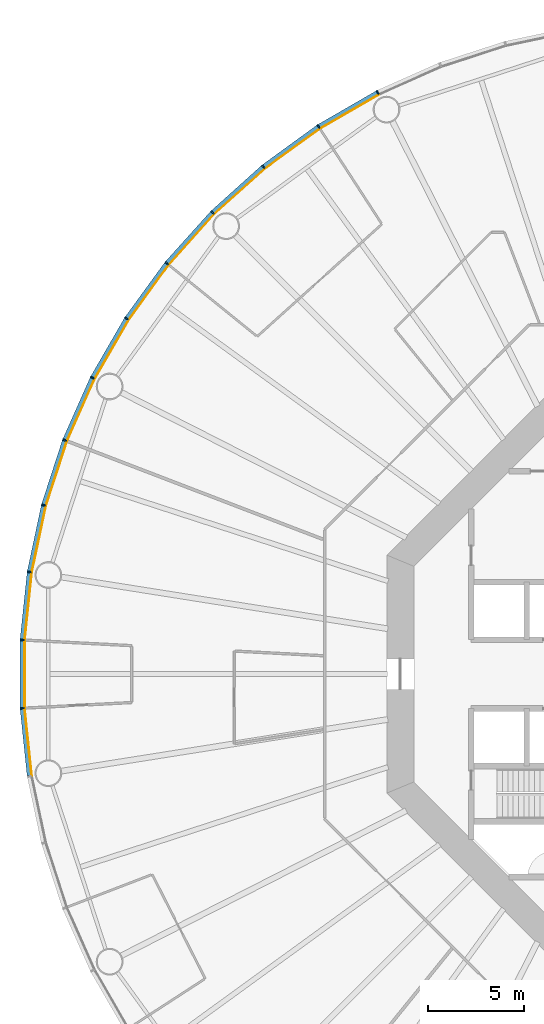
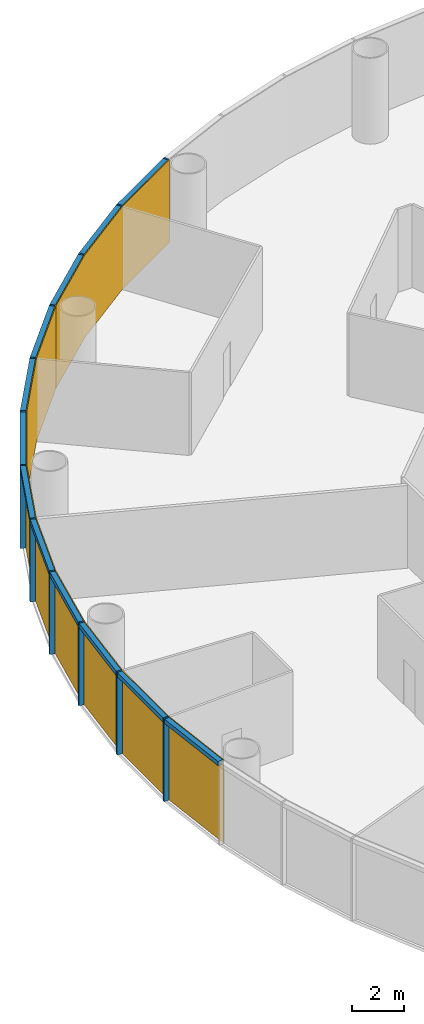
# One storey, part 9 of 13: 24 members, 4 curtain walls.
"""IFC4 building model written with IfcOpenShell, lengths in metres."""

from ifc_helpers import new_model, si_unit, direction, frame, origin, origin_2d, place, context, subcontext, project, spatial, polyline, rectangle, outline, extrude, material, layer, layer_set, material_profile, profile_set, type_object, element, aggregate, save


model = new_model("IFC4")

# Units and contexts
model_context = context("Model", 3, precision=1e-05, world=origin(), true_north=direction((0.0, 1.0)))
body_context = subcontext(model_context, "Body", "Model", "MODEL_VIEW")
ifc_project = project(units=[si_unit("LENGTHUNIT", "METRE"), si_unit("AREAUNIT", "SQUARE_METRE"), si_unit("VOLUMEUNIT", "CUBIC_METRE"), si_unit("PLANEANGLEUNIT", "RADIAN"), si_unit("MASSUNIT", "GRAM", prefix="KILO")], contexts=[model_context])

# Member
ifc_material_1 = material(Name="Anodised aluminium", Category="aluminium")
ifc_material_profile_1 = material_profile(ifc_material_1, rectangle(XDim=0.074951171875, YDim=0.219970703125, at=origin_2d()), Name="Mullion 75 x 220 mm anodised aluminium")
ifc_profile_set_1 = profile_set([ifc_material_profile_1], Name="Anodised aluminium")
member_type_1 = type_object("IfcMemberType", Name="Mullion 75 x 220 mm anodised aluminium", PredefinedType="MULLION", material=ifc_profile_set_1)
site_placement = place(None, origin())
building_placement = place(site_placement, origin())
storey_placement = place(building_placement, frame((0.0, 0.0, 62.0)))
member_1_placement = place(storey_placement, frame((74.514404296875, 110.392333984375, 0.0), z_axis=(0.0, 0.0, 1.0), x_axis=(-0.891006524188, -0.45399049974, 0.0)))
member_1 = element("IfcMember", 1, at=member_1_placement, type_object=member_type_1, Name="MULLION L13-18", PredefinedType="MULLION", context=body_context, shape_type="SweptSolid", body=[
    extrude(rectangle(XDim=0.074951171875, YDim=0.219970703125, at=origin_2d()), origin(), (0.0, 0.0, 1.0), 3.85009765625),
])

member_2_placement = place(storey_placement, frame((71.42236328125, 108.60693359375, 0.0), z_axis=(0.0, 0.0, 1.0), x_axis=(-0.838670567945, -0.544639035015, 0.0)))
member_2 = element("IfcMember", 2, at=member_2_placement, type_object=member_type_1, Name="MULLION L13-19", PredefinedType="MULLION", context=body_context, shape_type="SweptSolid", body=[
    extrude(rectangle(XDim=0.074951171875, YDim=0.219970703125, at=origin_2d()), origin(), (0.0, 0.0, 1.0), 3.85009765625),
])

member_3_placement = place(storey_placement, frame((68.533935546875, 106.508544921875, 0.0), z_axis=(0.0, 0.0, 1.0), x_axis=(-0.777145961457, -0.62932039105, 0.0)))
member_3 = element("IfcMember", 3, at=member_3_placement, type_object=member_type_1, Name="MULLION L13-20", PredefinedType="MULLION", context=body_context, shape_type="SweptSolid", body=[
    extrude(rectangle(XDim=0.074951171875, YDim=0.219970703125, at=origin_2d()), origin(), (0.0, 0.0, 1.0), 3.85009765625),
])

member_4_placement = place(storey_placement, frame((65.880615234375, 104.119384765625, 0.0), z_axis=(0.0, 0.0, 1.0), x_axis=(-0.707106781187, -0.707106781187, 0.0)))
member_4 = element("IfcMember", 4, at=member_4_placement, type_object=member_type_1, Name="MULLION L13-21", PredefinedType="MULLION", context=body_context, shape_type="SweptSolid", body=[
    extrude(rectangle(XDim=0.074951171875, YDim=0.219970703125, at=origin_2d()), origin(), (0.0, 0.0, 1.0), 3.85009765625),
])

member_5_placement = place(storey_placement, frame((63.491455078125, 101.466064453125, 0.0), z_axis=(0.0, 0.0, 1.0), x_axis=(-0.62932039105, -0.777145961457, 0.0)))
member_5 = element("IfcMember", 5, at=member_5_placement, type_object=member_type_1, Name="MULLION L13-22", PredefinedType="MULLION", context=body_context, shape_type="SweptSolid", body=[
    extrude(rectangle(XDim=0.074951171875, YDim=0.219970703125, at=origin_2d()), origin(), (0.0, 0.0, 1.0), 3.85009765625),
])

member_6_placement = place(storey_placement, frame((61.39306640625, 98.57763671875, 0.0), z_axis=(0.0, 0.0, 1.0), x_axis=(-0.544639035015, -0.838670567945, 0.0)))
member_6 = element("IfcMember", 6, at=member_6_placement, type_object=member_type_1, Name="MULLION L13-23", PredefinedType="MULLION", context=body_context, shape_type="SweptSolid", body=[
    extrude(rectangle(XDim=0.074951171875, YDim=0.219970703125, at=origin_2d()), origin(), (0.0, 0.0, 1.0), 3.85009765625),
])

member_7_placement = place(storey_placement, frame((59.607666015625, 95.485595703125, 0.0), z_axis=(0.0, 0.0, 1.0), x_axis=(-0.45399049974, -0.891006524188, 0.0)))
member_7 = element("IfcMember", 7, at=member_7_placement, type_object=member_type_1, Name="MULLION L13-24", PredefinedType="MULLION", context=body_context, shape_type="SweptSolid", body=[
    extrude(rectangle(XDim=0.074951171875, YDim=0.219970703125, at=origin_2d()), origin(), (0.0, 0.0, 1.0), 3.85009765625),
])

member_8_placement = place(storey_placement, frame((58.155517578125, 92.223876953125, 0.0), z_axis=(0.0, 0.0, 1.0), x_axis=(-0.358367949545, -0.933580426497, 0.0)))
member_8 = element("IfcMember", 8, at=member_8_placement, type_object=member_type_1, Name="MULLION L13-25", PredefinedType="MULLION", context=body_context, shape_type="SweptSolid", body=[
    extrude(rectangle(XDim=0.074951171875, YDim=0.219970703125, at=origin_2d()), origin(), (0.0, 0.0, 1.0), 3.85009765625),
])

member_9_placement = place(storey_placement, frame((57.05224609375, 88.828369140625, 0.0), z_axis=(0.0, 0.0, 1.0), x_axis=(-0.258819045103, -0.965925826289, 0.0)))
member_9 = element("IfcMember", 9, at=member_9_placement, type_object=member_type_1, Name="MULLION L13-26", PredefinedType="MULLION", context=body_context, shape_type="SweptSolid", body=[
    extrude(rectangle(XDim=0.074951171875, YDim=0.219970703125, at=origin_2d()), origin(), (0.0, 0.0, 1.0), 3.85009765625),
])

member_10_placement = place(storey_placement, frame((56.31005859375, 85.3359375, 0.0), z_axis=(0.0, 0.0, 1.0), x_axis=(-0.15643446504, -0.987688340595, 0.0)))
member_10 = element("IfcMember", 10, at=member_10_placement, type_object=member_type_1, Name="MULLION L13-27", PredefinedType="MULLION", context=body_context, shape_type="SweptSolid", body=[
    extrude(rectangle(XDim=0.074951171875, YDim=0.219970703125, at=origin_2d()), origin(), (0.0, 0.0, 1.0), 3.85009765625),
])

member_11_placement = place(storey_placement, frame((55.936767578125, 81.78515625, 0.0), z_axis=(0.0, 0.0, 1.0), x_axis=(-0.052335956243, -0.998629534755, 0.0)))
member_11 = element("IfcMember", 11, at=member_11_placement, type_object=member_type_1, Name="MULLION L13-28", PredefinedType="MULLION", context=body_context, shape_type="SweptSolid", body=[
    extrude(rectangle(XDim=0.074951171875, YDim=0.219970703125, at=origin_2d()), origin(), (0.0, 0.0, 1.0), 3.85009765625),
])

member_12_placement = place(storey_placement, frame((55.936767578125, 78.21484375, 0.0), z_axis=(0.0, 0.0, 1.0), x_axis=(0.052335956243, -0.998629534755, 0.0)))
member_12 = element("IfcMember", 12, at=member_12_placement, type_object=member_type_1, Name="MULLION L13-29", PredefinedType="MULLION", context=body_context, shape_type="SweptSolid", body=[
    extrude(rectangle(XDim=0.074951171875, YDim=0.219970703125, at=origin_2d()), origin(), (0.0, 0.0, 1.0), 3.85009765625),
])

ifc_material_2 = material(Name="Anodised aluminium", Category="aluminium")
ifc_material_profile_2 = material_profile(ifc_material_2, rectangle(XDim=0.219970703125, YDim=0.199951171875, at=origin_2d()), Name="Transom 200 x 220 mm anodised aluminium")
ifc_profile_set_2 = profile_set([ifc_material_profile_2], Name="Anodised aluminium")
member_type_2 = type_object("IfcMemberType", Name="Transom 200 x 220 mm anodised aluminium", PredefinedType="USERDEFINED", material=ifc_profile_set_2)
member_13_placement = place(storey_placement, frame((74.476806640625, 110.370849609375, 3.75), z_axis=(-0.866022206254, -0.500005538244, 0.0), x_axis=(0.500005538244, -0.866022206254, 0.0)))
member_13 = element("IfcMember", 13, at=member_13_placement, type_object=member_type_2, Name="TRANSOM L13-18", ObjectType="TRANSOM", PredefinedType="USERDEFINED", context=body_context, shape_type="SweptSolid", body=[
    extrude(rectangle(XDim=0.219970703125, YDim=0.199951171875, at=origin_2d()), origin(), (0.0, 0.0, 1.0), 3.48388671875),
])

member_14_placement = place(storey_placement, frame((71.38720703125, 108.581787109375, 3.75), z_axis=(-0.80899056535, -0.587821627006, 0.0), x_axis=(0.587821627006, -0.80899056535, 0.0)))
member_14 = element("IfcMember", 14, at=member_14_placement, type_object=member_type_2, Name="TRANSOM L13-19", ObjectType="TRANSOM", PredefinedType="USERDEFINED", context=body_context, shape_type="SweptSolid", body=[
    extrude(rectangle(XDim=0.219970703125, YDim=0.199951171875, at=origin_2d()), origin(), (0.0, 0.0, 1.0), 3.48388671875),
])

member_15_placement = place(storey_placement, frame((68.501708984375, 106.479736328125, 3.75), z_axis=(-0.743137329876, -0.669138930974, 0.0), x_axis=(0.669138930974, -0.743137329876, 0.0)))
member_15 = element("IfcMember", 15, at=member_15_placement, type_object=member_type_2, Name="TRANSOM L13-20", ObjectType="TRANSOM", PredefinedType="USERDEFINED", context=body_context, shape_type="SweptSolid", body=[
    extrude(rectangle(XDim=0.219970703125, YDim=0.199951171875, at=origin_2d()), origin(), (0.0, 0.0, 1.0), 3.484130859375),
])

member_16_placement = place(storey_placement, frame((65.8515625, 104.08740234375, 3.75), z_axis=(-0.669138930974, -0.743137329876, 0.0), x_axis=(0.743137329876, -0.669138930974, 0.0)))
member_16 = element("IfcMember", 16, at=member_16_placement, type_object=member_type_2, Name="TRANSOM L13-21", ObjectType="TRANSOM", PredefinedType="USERDEFINED", context=body_context, shape_type="SweptSolid", body=[
    extrude(rectangle(XDim=0.219970703125, YDim=0.199951171875, at=origin_2d()), origin(), (0.0, 0.0, 1.0), 3.484130859375),
])

member_17_placement = place(storey_placement, frame((63.466064453125, 101.43115234375, 3.75), z_axis=(-0.587821627006, -0.80899056535, 0.0), x_axis=(0.80899056535, -0.587821627006, 0.0)))
member_17 = element("IfcMember", 17, at=member_17_placement, type_object=member_type_2, Name="TRANSOM L13-22", ObjectType="TRANSOM", PredefinedType="USERDEFINED", context=body_context, shape_type="SweptSolid", body=[
    extrude(rectangle(XDim=0.219970703125, YDim=0.199951171875, at=origin_2d()), origin(), (0.0, 0.0, 1.0), 3.48388671875),
])

member_18_placement = place(storey_placement, frame((61.37109375, 98.540283203125, 3.75), z_axis=(-0.500005538244, -0.866022206254, 0.0), x_axis=(0.866022206254, -0.500005538244, 0.0)))
member_18 = element("IfcMember", 18, at=member_18_placement, type_object=member_type_2, Name="TRANSOM L13-23", ObjectType="TRANSOM", PredefinedType="USERDEFINED", context=body_context, shape_type="SweptSolid", body=[
    extrude(rectangle(XDim=0.219970703125, YDim=0.199951171875, at=origin_2d()), origin(), (0.0, 0.0, 1.0), 3.48388671875),
])

member_19_placement = place(storey_placement, frame((59.590087890625, 95.446044921875, 3.75), z_axis=(-0.406736576304, -0.913545487371, 0.0), x_axis=(0.913545487371, -0.406736576304, 0.0)))
member_19 = element("IfcMember", 19, at=member_19_placement, type_object=member_type_2, Name="TRANSOM L13-24", ObjectType="TRANSOM", PredefinedType="USERDEFINED", context=body_context, shape_type="SweptSolid", body=[
    extrude(rectangle(XDim=0.219970703125, YDim=0.199951171875, at=origin_2d()), origin(), (0.0, 0.0, 1.0), 3.48388671875),
])

member_20_placement = place(storey_placement, frame((58.14208984375, 92.182861328125, 3.75), z_axis=(-0.309029029702, -0.951052605696, 0.0), x_axis=(0.951052605696, -0.309029029702, 0.0)))
member_20 = element("IfcMember", 20, at=member_20_placement, type_object=member_type_2, Name="TRANSOM L13-25", ObjectType="TRANSOM", PredefinedType="USERDEFINED", context=body_context, shape_type="SweptSolid", body=[
    extrude(rectangle(XDim=0.219970703125, YDim=0.199951171875, at=origin_2d()), origin(), (0.0, 0.0, 1.0), 3.484130859375),
])

member_21_placement = place(storey_placement, frame((57.043212890625, 88.7861328125, 3.75), z_axis=(-0.207920776701, -0.978145669426, 0.0), x_axis=(0.978145669426, -0.207920776701, 0.0)))
member_21 = element("IfcMember", 21, at=member_21_placement, type_object=member_type_2, Name="TRANSOM L13-26", ObjectType="TRANSOM", PredefinedType="USERDEFINED", context=body_context, shape_type="SweptSolid", body=[
    extrude(rectangle(XDim=0.219970703125, YDim=0.199951171875, at=origin_2d()), origin(), (0.0, 0.0, 1.0), 3.48388671875),
])

member_22_placement = place(storey_placement, frame((56.30517578125, 85.29296875, 3.75), z_axis=(-0.104484152234, -0.994526551648, 0.0), x_axis=(0.994526551648, -0.104484152234, 0.0)))
member_22 = element("IfcMember", 22, at=member_22_placement, type_object=member_type_2, Name="TRANSOM L13-27", ObjectType="TRANSOM", PredefinedType="USERDEFINED", context=body_context, shape_type="SweptSolid", body=[
    extrude(rectangle(XDim=0.219970703125, YDim=0.199951171875, at=origin_2d()), origin(), (0.0, 0.0, 1.0), 3.48388671875),
])

member_23_placement = place(storey_placement, frame((55.9365234375, 81.741943359375, 3.75), z_axis=(0.0, -1.0, 0.0), x_axis=(1.0, 0.0, 0.0)))
member_23 = element("IfcMember", 23, at=member_23_placement, type_object=member_type_2, Name="TRANSOM L13-28", ObjectType="TRANSOM", PredefinedType="USERDEFINED", context=body_context, shape_type="SweptSolid", body=[
    extrude(rectangle(XDim=0.219970703125, YDim=0.199951171875, at=origin_2d()), origin(), (0.0, 0.0, 1.0), 3.48388671875),
])

member_24_placement = place(storey_placement, frame((55.941162109375, 78.171875, 3.75), z_axis=(0.104484152234, -0.994526551648, 0.0), x_axis=(0.994526551648, 0.104484152234, 0.0)))
member_24 = element("IfcMember", 24, at=member_24_placement, type_object=member_type_2, Name="TRANSOM L13-29", ObjectType="TRANSOM", PredefinedType="USERDEFINED", context=body_context, shape_type="SweptSolid", body=[
    extrude(rectangle(XDim=0.219970703125, YDim=0.199951171875, at=origin_2d()), origin(), (0.0, 0.0, 1.0), 3.48388671875),
])

# Site, building, storey
site = spatial("IfcSite", under=ifc_project, at=site_placement, CompositionType="ELEMENT")
building = spatial("IfcBuilding", under=site, at=building_placement, Name="Entoto Ring Tower", CompositionType="ELEMENT")
storey = spatial("IfcBuildingStorey", under=building, at=storey_placement, Name="L13", CompositionType="ELEMENT", Elevation=62.0)

# Curtain wall
ifc_material_3 = material(Name="Clear low-iron glass", Category="glass")
ifc_layer = layer(ifc_material_3, 0.0400390625)
ifc_layer_set = layer_set([ifc_layer], Name="Clear low-iron glass")
curtain_wall_type = type_object("IfcCurtainWallType", Name="Curtain wall system CW1 glazing 40 mm", PredefinedType="NOTDEFINED", material=ifc_layer_set)
curtain_wall_1_placement = place(storey_placement, origin())
curtain_wall_1 = element("IfcCurtainWall", 25, at=curtain_wall_1_placement, inside=storey, type_object=curtain_wall_type, Name="CW1 L13-07", PredefinedType="NOTDEFINED", context=body_context, shape_type="SweptSolid", body=[
    extrude(outline(polyline([(74.564208984375, 110.294189453125), (71.482177734375, 108.514892578125), (68.60302734375, 106.4228515625), (65.958251953125, 104.041748046875), (65.986572265625, 104.013427734375), (68.62841796875, 106.391845703125), (71.504150390625, 108.481201171875), (74.58251953125, 110.258544921875), (74.564208984375, 110.294189453125)])), origin(), (0.0, 0.0, 1.0), 3.85009765625),
])

aggregate(curtain_wall_1, [member_1, member_2, member_3, member_13, member_14, member_15])

curtain_wall_2_placement = place(storey_placement, origin())
curtain_wall_2 = element("IfcCurtainWall", 26, at=curtain_wall_2_placement, inside=storey, type_object=curtain_wall_type, Name="CW1 L13-08", PredefinedType="NOTDEFINED", context=body_context, shape_type="SweptSolid", body=[
    extrude(outline(polyline([(65.958251953125, 104.041748046875), (63.5771484375, 101.39697265625), (61.485107421875, 98.517822265625), (59.705810546875, 95.435791015625), (59.741455078125, 95.41748046875), (61.518798828125, 98.495849609375), (63.608154296875, 101.37158203125), (65.986572265625, 104.013427734375), (65.958251953125, 104.041748046875)])), origin(), (0.0, 0.0, 1.0), 3.85009765625),
])

aggregate(curtain_wall_2, [member_4, member_5, member_6, member_16, member_17, member_18])

curtain_wall_3_placement = place(storey_placement, origin())
curtain_wall_3 = element("IfcCurtainWall", 27, at=curtain_wall_3_placement, inside=storey, type_object=curtain_wall_type, Name="CW1 L13-09", PredefinedType="NOTDEFINED", context=body_context, shape_type="SweptSolid", body=[
    extrude(outline(polyline([(59.705810546875, 95.435791015625), (58.25830078125, 92.1845703125), (57.158447265625, 88.7998046875), (56.418701171875, 85.31884765625), (56.458251953125, 85.3125), (57.197265625, 88.78955078125), (58.295654296875, 92.170166015625), (59.741455078125, 95.41748046875), (59.705810546875, 95.435791015625)])), origin(), (0.0, 0.0, 1.0), 3.85009765625),
])

aggregate(curtain_wall_3, [member_7, member_8, member_9, member_19, member_20, member_21])

curtain_wall_4_placement = place(storey_placement, origin())
curtain_wall_4 = element("IfcCurtainWall", 28, at=curtain_wall_4_placement, inside=storey, type_object=curtain_wall_type, Name="CW1 L13-10", PredefinedType="NOTDEFINED", context=body_context, shape_type="SweptSolid", body=[
    extrude(outline(polyline([(56.418701171875, 85.31884765625), (56.046630859375, 81.779541015625), (56.046630859375, 78.220458984375), (56.418701171875, 74.68115234375), (56.458251953125, 74.6875), (56.086669921875, 78.22265625), (56.086669921875, 81.77734375), (56.458251953125, 85.3125), (56.418701171875, 85.31884765625)])), origin(), (0.0, 0.0, 1.0), 3.85009765625),
])

aggregate(curtain_wall_4, [member_10, member_11, member_12, member_22, member_23, member_24])

save(model, "model.ifc")
